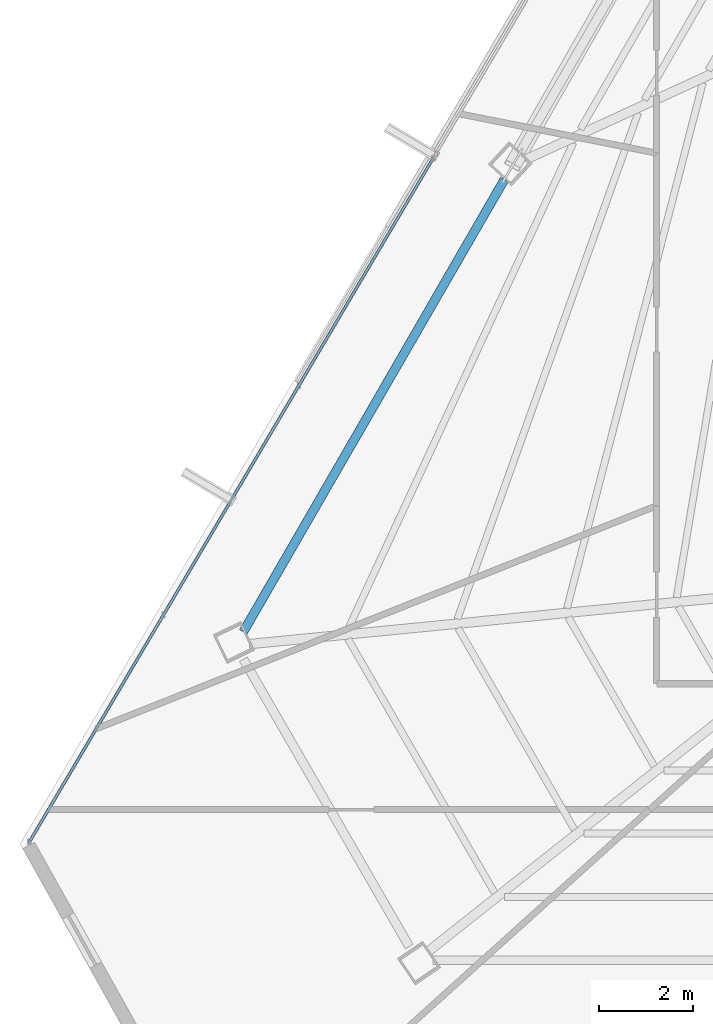
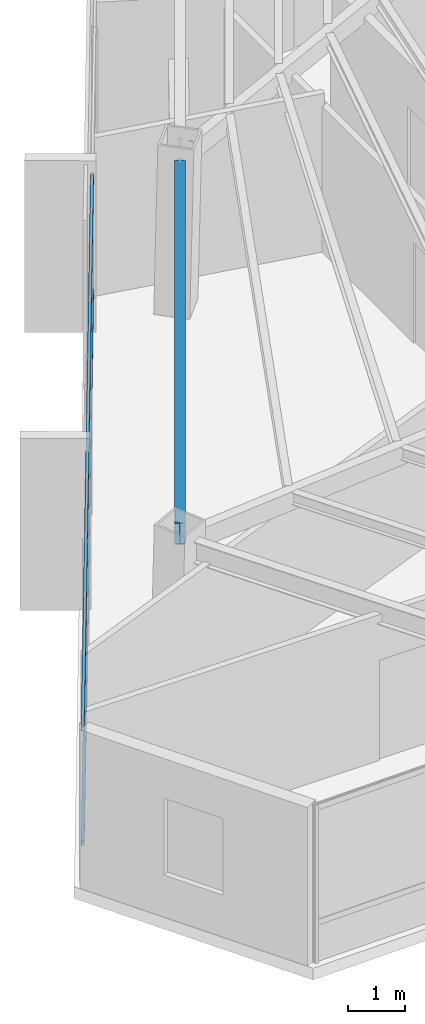
# One storey, part 8 of 46: 2 members, 1 beam, 1 element without a shape of its own.
"""IFC4 building model written with IfcOpenShell, lengths in metres."""

from ifc_helpers import new_model, si_unit, direction, frame, origin, origin_2d, place, context, subcontext, project, spatial, hollow_rectangle, i_section, extrude, source, transform, mapped, material, material_profile, profile_set, type_object, type_shapes, element, aggregate, save


model = new_model("IFC4")

# Units and contexts
model_context = context("Model", 3, precision=1e-05, world=origin(), true_north=direction((0.0, 1.0)))
body_context = subcontext(model_context, "Body", "Model", "MODEL_VIEW")
ifc_project = project(units=[si_unit("LENGTHUNIT", "METRE"), si_unit("AREAUNIT", "SQUARE_METRE"), si_unit("VOLUMEUNIT", "CUBIC_METRE"), si_unit("PLANEANGLEUNIT", "RADIAN"), si_unit("MASSUNIT", "GRAM", prefix="KILO")], contexts=[model_context])

# Site, building, storey
site_placement = place(None, origin())
site = spatial("IfcSite", under=ifc_project, at=site_placement, CompositionType="ELEMENT")
building_placement = place(site_placement, origin())
building = spatial("IfcBuilding", under=site, at=building_placement, Name="Caelisora Broadcast Tower", CompositionType="ELEMENT")
storey_placement = place(building_placement, frame((0.0, 0.0, 251.75)))
storey = spatial("IfcBuildingStorey", under=building, at=storey_placement, Name="L66", CompositionType="ELEMENT", Elevation=251.75)

# Beam
ifc_material_1 = material(Name="Steel Grade 350 (AS/NZS 3679.1)", Category="steel")
ifc_material_profile_1 = material_profile(ifc_material_1, i_section(OverallWidth=0.19091796875, OverallDepth=0.46044921875, WebThickness=0.010009765625, FlangeThickness=0.01611328125, at=origin_2d()), Name="Steel Grade 350 (AS/NZS 3679.1)")
ifc_profile_set_1 = profile_set([ifc_material_profile_1], Name="Steel Grade 350 (AS/NZS 3679.1)")
beam_type = type_object("IfcBeamType", Name="PG06", PredefinedType="BEAM", material=ifc_profile_set_1)
shared_shape_1 = source(origin(), body_context, "Body", "SweptSolid", [
    extrude(i_section(OverallWidth=0.19091796875, OverallDepth=0.46044921875, WebThickness=0.010009765625, FlangeThickness=0.01611328125, at=origin_2d()), origin(), (0.0, 0.0, 1.0), 11.12451171875),
])
type_shapes(beam_type, [shared_shape_1])
beam_placement = place(storey_placement, frame((22.160888671875, 25.941650390625, 3.169921875), z_axis=(-0.500002979663, -0.866023683469, 0.0), x_axis=(0.866023683469, -0.500002979663, 0.0)))
element("IfcBeam", 1, at=beam_placement, inside=storey, type_object=beam_type, Name="L66 beam PG06", PredefinedType="BEAM", context=body_context, shape_type="MappedRepresentation", body=[
    mapped(shared_shape_1, transform((0.0, 0.0, 0.0), scale=1.0)),
])

# Curtain wall, members
ifc_material_2 = material(Name="Unitised Aluminium and Low-E Glass Curtain Wall", Category="glass")
curtain_wall_type = type_object("IfcCurtainWallType", Name="CW-Z5", PredefinedType="NOTDEFINED", material=ifc_material_2)
curtain_wall_placement = place(storey_placement, origin())
curtain_wall = element("IfcCurtainWall", 2, at=curtain_wall_placement, inside=storey, type_object=curtain_wall_type, Name="L66 curtain wall CW-Z5", PredefinedType="NOTDEFINED")
ifc_material_3 = material(Name="Aluminium 6063-T6 Anodised Terracotta Bronze", Category="aluminium")
ifc_material_profile_2 = material_profile(ifc_material_3, hollow_rectangle(XDim=0.06005859375, YDim=0.1201171875, WallThickness=0.0029296875, at=origin_2d()), Name="Aluminium 6063-T6 Anodised Terracotta Bronze")
ifc_profile_set_2 = profile_set([ifc_material_profile_2], Name="Aluminium 6063-T6 Anodised Terracotta Bronze")
member_type = type_object("IfcMemberType", Name="CWT-03", PredefinedType="USERDEFINED", material=ifc_profile_set_2)
shared_shape_2 = source(origin(), body_context, "Body", "SweptSolid", [
    extrude(hollow_rectangle(XDim=0.06005859375, YDim=0.1201171875, WallThickness=0.0029296875, at=origin_2d()), origin(), (0.0, 0.0, 1.0), 16.923095703125),
])
type_shapes(member_type, [shared_shape_2])
member_1_placement = place(storey_placement, frame((12.040283203125, 11.8271484375, 0.85009765625), z_axis=(0.508415299671, 0.861112003784, 0.0), x_axis=(-0.861112003784, 0.508415299671, 0.0)))
member_1 = element("IfcMember", 3, at=member_1_placement, type_object=member_type, Name="L66-CW-B09 transom #1", ObjectType="TRANSOM", PredefinedType="USERDEFINED", context=body_context, shape_type="MappedRepresentation", body=[
    mapped(shared_shape_2, transform((0.0, 0.0, 0.0), scale=1.0)),
])
member_2_placement = place(storey_placement, frame((12.040283203125, 11.8271484375, 3.320068359375), z_axis=(0.508415299671, 0.861112003784, 0.0), x_axis=(-0.861112003784, 0.508415299671, 0.0)))
member_2 = element("IfcMember", 4, at=member_2_placement, type_object=member_type, Name="L66-CW-B09 transom #2", ObjectType="TRANSOM", PredefinedType="USERDEFINED", context=body_context, shape_type="MappedRepresentation", body=[
    mapped(shared_shape_2, transform((0.0, 0.0, 0.0), scale=1.0)),
])
aggregate(curtain_wall, [member_1, member_2])

save(model, "model.ifc")
